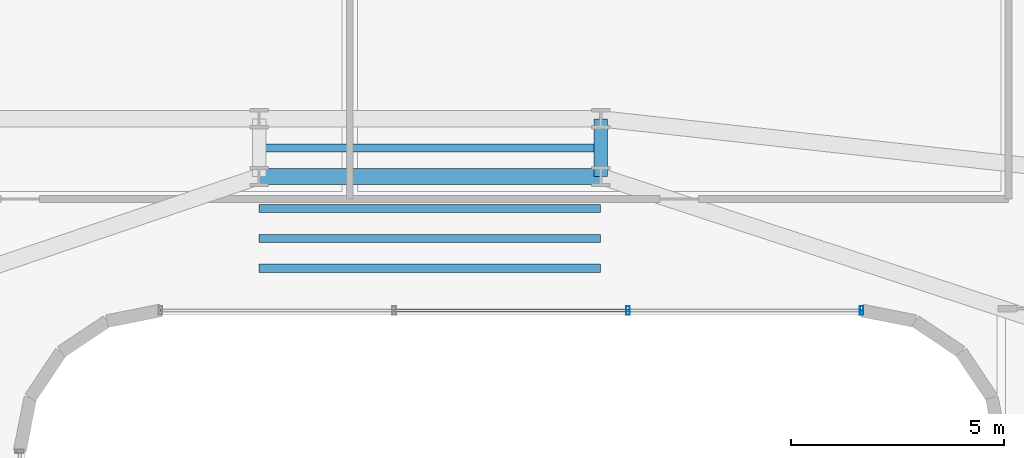
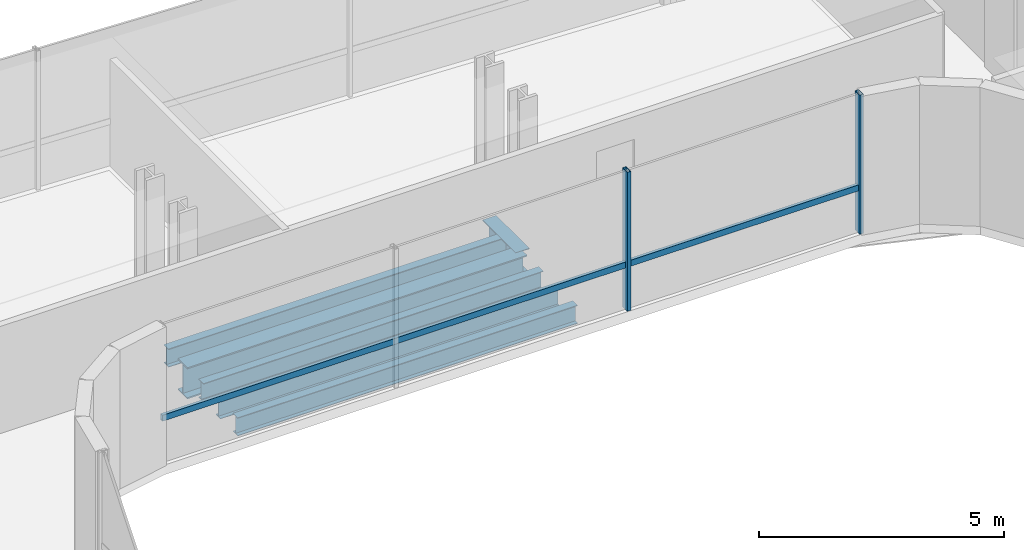
# One storey, part 14 of 34: 6 beams, 3 members, 1 element without a shape of its own.
"""IFC4 building model written with IfcOpenShell, lengths in metres."""

from ifc_helpers import new_model, si_unit, direction, frame, origin, origin_2d, place, context, subcontext, project, spatial, hollow_rectangle, i_section, extrude, source, transform, mapped, material, material_profile, profile_set, type_object, element, aggregate, save


model = new_model("IFC4")

# Units and contexts
model_context = context("Model", 3, precision=1e-05, world=origin(), true_north=direction((0.0, 1.0)))
body_context = subcontext(model_context, "Body", "Model", "MODEL_VIEW")
ifc_project = project(units=[si_unit("LENGTHUNIT", "METRE"), si_unit("AREAUNIT", "SQUARE_METRE"), si_unit("VOLUMEUNIT", "CUBIC_METRE"), si_unit("PLANEANGLEUNIT", "RADIAN"), si_unit("MASSUNIT", "GRAM", prefix="KILO")], contexts=[model_context])

# Site, building, storey
site_placement = place(None, origin())
site = spatial("IfcSite", under=ifc_project, at=site_placement, CompositionType="ELEMENT")
building_placement = place(site_placement, origin())
building = spatial("IfcBuilding", under=site, at=building_placement, Name="Valdorenza Pilgrim Sanctuary Tower", CompositionType="ELEMENT")
storey_placement = place(building_placement, frame((0.0, 0.0, 146.39990234375)))
storey = spatial("IfcBuildingStorey", under=building, at=storey_placement, Name="L37", CompositionType="ELEMENT", Elevation=146.39990234375)

# Beams
ifc_material_1 = material(Name="Steel ASTM A992 Grade 50", Category="steel")
ifc_material_profile_1 = material_profile(ifc_material_1, i_section(OverallWidth=0.323974609375, OverallDepth=0.611083984375, WebThickness=0.0126953125, FlangeThickness=0.01904296875, at=origin_2d()), Name="W24X104")
ifc_profile_set_1 = profile_set([ifc_material_profile_1], Name="Steel ASTM A992 Grade 50")
beam_type_1 = type_object("IfcBeamType", Name="STR-BM-GRD-W24B", PredefinedType="BEAM", material=ifc_profile_set_1)
shared_shape_1 = source(origin(), body_context, "Body", "SweptSolid", [
    extrude(i_section(OverallWidth=0.323974609375, OverallDepth=0.611083984375, WebThickness=0.0126953125, FlangeThickness=0.01904296875, at=origin_2d()), origin(), (0.0, 0.0, 1.0), 1.35009765625),
])
beam_1_placement = place(storey_placement, frame((4.0, 13.449951171875, -0.54541015625), z_axis=(0.0, 1.0, 0.0), x_axis=(-1.0, 0.0, 0.0)))
element("IfcBeam", 1, at=beam_1_placement, inside=storey, type_object=beam_type_1, Name="L37 Floor Girder KNK-TIE-E", PredefinedType="BEAM", context=body_context, shape_type="MappedRepresentation", body=[
    mapped(shared_shape_1, transform((0.0, 0.0, 0.0), x_axis=(1.0, 0.0, 0.0), y_axis=(0.0, 1.0, 0.0), z_axis=(0.0, 0.0, 1.0), scale=1.0)),
])
ifc_material_profile_2 = material_profile(ifc_material_1, i_section(OverallWidth=0.382080078125, OverallDepth=0.779052734375, WebThickness=0.01806640625, FlangeThickness=0.030029296875, at=origin_2d()), Name="W30X191")
ifc_profile_set_2 = profile_set([ifc_material_profile_2], Name="Steel ASTM A992 Grade 50")
beam_type_2 = type_object("IfcBeamType", Name="STR-BM-GRD-W30", PredefinedType="BEAM", material=ifc_profile_set_2)
shared_shape_2 = source(origin(), body_context, "Body", "SweptSolid", [
    extrude(i_section(OverallWidth=0.382080078125, OverallDepth=0.779052734375, WebThickness=0.01806640625, FlangeThickness=0.030029296875, at=origin_2d()), origin(), (0.0, 0.0, 1.0), 8.0),
])
beam_2_placement = place(storey_placement, frame((-4.0, 13.449951171875, -0.62939453125), z_axis=(1.0, 0.0, 0.0), x_axis=(0.0, 1.0, 0.0)))
element("IfcBeam", 2, at=beam_2_placement, inside=storey, type_object=beam_type_2, Name="L37 Floor Girder KNK-G2", PredefinedType="BEAM", context=body_context, shape_type="MappedRepresentation", body=[
    mapped(shared_shape_2, transform((0.0, 0.0, 0.0), x_axis=(1.0, 0.0, 0.0), y_axis=(0.0, 1.0, 0.0), z_axis=(0.0, 0.0, 1.0), scale=1.0)),
])
ifc_material_profile_3 = material_profile(ifc_material_1, i_section(OverallWidth=0.19091796875, OverallDepth=0.45703125, WebThickness=0.009033203125, FlangeThickness=0.014404296875, at=origin_2d()), Name="W18X50")
ifc_profile_set_3 = profile_set([ifc_material_profile_3], Name="Steel ASTM A992 Grade 50")
beam_type_3 = type_object("IfcBeamType", Name="STR-BM-JST-W18B", PredefinedType="JOIST", material=ifc_profile_set_3)
shared_shape_3 = source(origin(), body_context, "Body", "SweptSolid", [
    extrude(i_section(OverallWidth=0.19091796875, OverallDepth=0.45703125, WebThickness=0.009033203125, FlangeThickness=0.014404296875, at=origin_2d()), origin(), (0.0, 0.0, 1.0), 8.0),
])
for number, where, z_axis, x_axis, name in (
    (3, (-4.0, 11.300048828125, -0.468505859375), (1.0, 0.0, 0.0), (0.0, 1.0, 0.0), "L37 Knuckle Composite Joist JST-KNK-1"),
    (4, (-4.0, 12.0, -0.468505859375), (1.0, 0.0, 0.0), (0.0, 1.0, 0.0), "L37 Knuckle Composite Joist JST-KNK-2"),
    (5, (-4.0, 12.699951171875, -0.468505859375), (1.0, 0.0, 0.0), (0.0, 1.0, 0.0), "L37 Knuckle Composite Joist JST-KNK-3"),
    (6, (-4.0, 14.1201171875, -0.468505859375), (1.0, 0.0, 0.0), (0.0, 1.0, 0.0), "L37 Knuckle Composite Joist JST-KNK-4"),
):
    element("IfcBeam", number, at=place(storey_placement, frame(where, z_axis=z_axis, x_axis=x_axis)), inside=storey, type_object=beam_type_3, Name=name, PredefinedType="JOIST", context=body_context, shape_type="MappedRepresentation", body=[
        mapped(shared_shape_3, transform((0.0, 0.0, 0.0), x_axis=(1.0, 0.0, 0.0), y_axis=(0.0, 1.0, 0.0), z_axis=(0.0, 0.0, 1.0), scale=1.0)),
    ])

# Curtain wall, members
ifc_material_2 = material(Name="Curtain-wall IGU glazing", Category="glass")
curtain_wall_type = type_object("IfcCurtainWallType", Name="CW-SYS-02", PredefinedType="NOTDEFINED", material=ifc_material_2)
curtain_wall_placement = place(storey_placement, origin())
curtain_wall = element("IfcCurtainWall", 7, at=curtain_wall_placement, inside=storey, type_object=curtain_wall_type, Name="L37 Curtain Wall CW-L37-1-36", PredefinedType="NOTDEFINED")
ifc_material_3 = material(Name="Anodised aluminium AW-6060", Category="aluminium")
ifc_material_profile_4 = material_profile(ifc_material_3, hollow_rectangle(XDim=0.074951171875, YDim=0.14990234375, WallThickness=0.00390625, at=origin_2d()), Name="ALU-T 150x75x4")
ifc_profile_set_4 = profile_set([ifc_material_profile_4], Name="Anodised aluminium AW-6060")
member_type_1 = type_object("IfcMemberType", Name="CW-TRN-02", PredefinedType="USERDEFINED", material=ifc_profile_set_4)
shared_shape_4 = source(origin(), body_context, "Body", "SweptSolid", [
    extrude(hollow_rectangle(XDim=0.074951171875, YDim=0.14990234375, WallThickness=0.00390625, at=origin_2d()), origin(), (0.0, 0.0, 1.0), 16.421630859375),
])
member_1_placement = place(storey_placement, frame((10.11083984375, 10.31005859375, 1.1201171875), z_axis=(-1.0, 0.0, 0.0), x_axis=(0.0, -1.0, 0.0)))
member_1 = element("IfcMember", 8, at=member_1_placement, type_object=member_type_1, Name="CW-L37-1-36 Transom 1", ObjectType="TRANSOM", PredefinedType="USERDEFINED", context=body_context, shape_type="MappedRepresentation", body=[
    mapped(shared_shape_4, transform((0.0, 0.0, 0.0), x_axis=(1.0, 0.0, 0.0), y_axis=(0.0, 1.0, 0.0), z_axis=(0.0, 0.0, 1.0), scale=1.0)),
])
ifc_material_profile_5 = material_profile(ifc_material_3, hollow_rectangle(XDim=0.0849609375, YDim=0.199951171875, WallThickness=0.0048828125, at=origin_2d()), Name="ALU-M 200x85x5")
ifc_profile_set_5 = profile_set([ifc_material_profile_5], Name="Anodised aluminium AW-6060")
member_type_2 = type_object("IfcMemberType", Name="CW-MUL-02", PredefinedType="MULLION", material=ifc_profile_set_5)
shared_shape_5 = source(origin(), body_context, "Body", "SweptSolid", [
    extrude(hollow_rectangle(XDim=0.0849609375, YDim=0.199951171875, WallThickness=0.0048828125, at=origin_2d()), origin(), (0.0, 0.0, 1.0), 3.460205078125),
])
member_2_placement = place(storey_placement, frame((10.11083984375, 10.31005859375, 0.0), z_axis=(0.0, 0.0, 1.0), x_axis=(-1.0, 0.0, 0.0)))
member_2 = element("IfcMember", 9, at=member_2_placement, type_object=member_type_2, Name="CW-L37-1-36 Mullion 1", PredefinedType="MULLION", context=body_context, shape_type="MappedRepresentation", body=[
    mapped(shared_shape_5, transform((0.0, 0.0, 0.0), x_axis=(1.0, 0.0, 0.0), y_axis=(0.0, 1.0, 0.0), z_axis=(0.0, 0.0, 1.0), scale=1.0)),
])
member_3_placement = place(storey_placement, frame((4.636962890625, 10.31005859375, 0.0), z_axis=(0.0, 0.0, 1.0), x_axis=(-1.0, 0.0, 0.0)))
member_3 = element("IfcMember", 10, at=member_3_placement, type_object=member_type_2, Name="CW-L37-1-36 Mullion 2", PredefinedType="MULLION", context=body_context, shape_type="MappedRepresentation", body=[
    mapped(shared_shape_5, transform((0.0, 0.0, 0.0), x_axis=(1.0, 0.0, 0.0), y_axis=(0.0, 1.0, 0.0), z_axis=(0.0, 0.0, 1.0), scale=1.0)),
])
aggregate(curtain_wall, [member_2, member_3, member_1])

save(model, "model.ifc")
